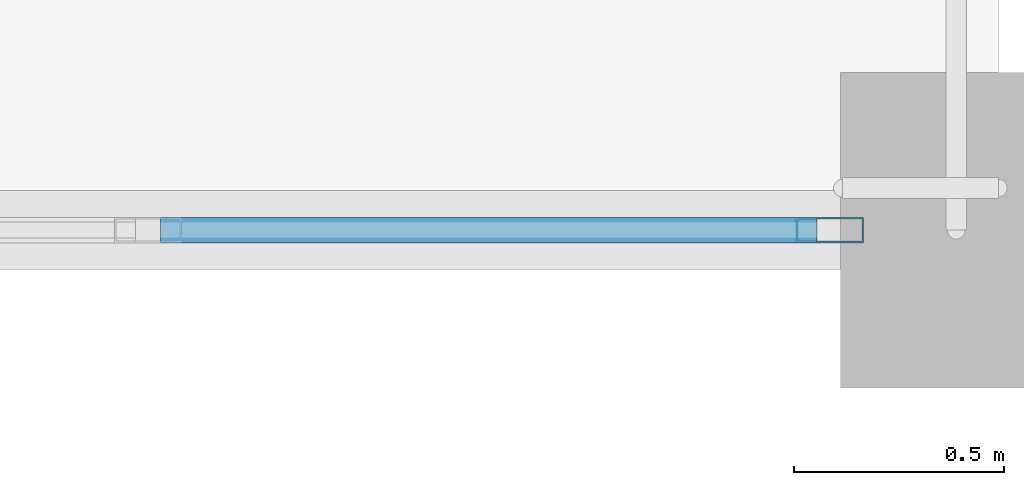
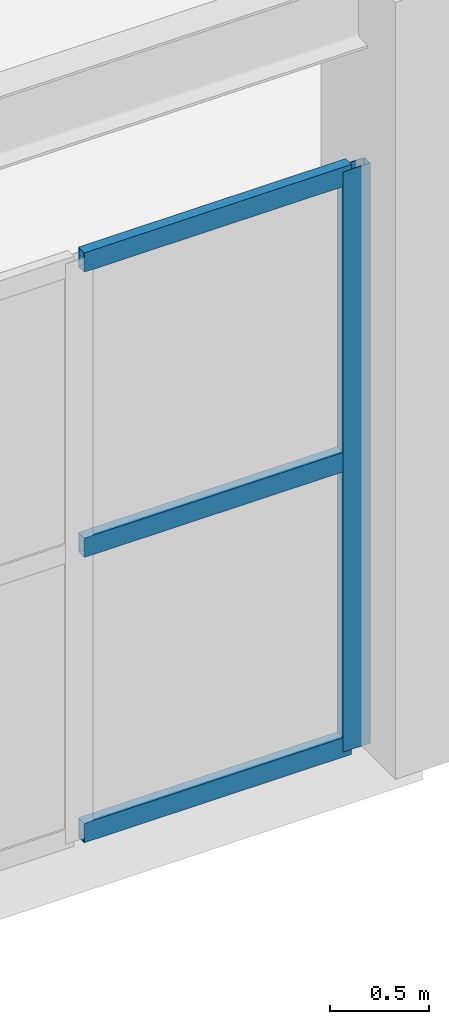
# One storey, part 7 of 89: 4 members, 1 element without a shape of its own.
"""IFC4 building model written with IfcOpenShell, lengths in metres."""

from ifc_helpers import new_model, si_unit, direction, frame, origin, origin_2d, place, context, subcontext, project, spatial, hollow_rectangle, extrude, material, layer, layer_set, material_profile, profile_set, type_object, element, aggregate, save


model = new_model("IFC4")

# Units and contexts
model_context = context("Model", 3, precision=1e-05, world=origin(), true_north=direction((0.0, 1.0)))
body_context = subcontext(model_context, "Body", "Model", "MODEL_VIEW")
ifc_project = project(units=[si_unit("LENGTHUNIT", "METRE"), si_unit("AREAUNIT", "SQUARE_METRE"), si_unit("VOLUMEUNIT", "CUBIC_METRE"), si_unit("PLANEANGLEUNIT", "RADIAN"), si_unit("MASSUNIT", "GRAM", prefix="KILO")], contexts=[model_context])

# Site, building, storey
site_placement = place(None, origin())
site = spatial("IfcSite", under=ifc_project, at=site_placement, CompositionType="ELEMENT")
building_placement = place(site_placement, origin())
building = spatial("IfcBuilding", under=site, at=building_placement, Name="Dornveld Trade and Exhibition Forum", CompositionType="ELEMENT")
storey_placement = place(building_placement, frame((0.0, 0.0, 12.0)))
storey = spatial("IfcBuildingStorey", under=building, at=storey_placement, Name="L02", CompositionType="ELEMENT", Elevation=12.0)

# Curtain wall, members
ifc_material_1 = material(Name="Dark-bronze anodised aluminium and low-E glass", Category="aluminium")
ifc_layer = layer(ifc_material_1, 0.156982421875)
ifc_layer_set = layer_set([ifc_layer], Name="Dark-bronze anodised aluminium and low-E glass")
curtain_wall_type = type_object("IfcCurtainWallType", Name="CW-SYS-05", PredefinedType="USERDEFINED", material=ifc_layer_set)
curtain_wall_placement = place(storey_placement, origin())
curtain_wall = element("IfcCurtainWall", 1, at=curtain_wall_placement, inside=storey, type_object=curtain_wall_type, Name="L02 unitised curtain wall 23", ObjectType="UNITISED_CURTAIN_WALL", PredefinedType="USERDEFINED")
ifc_material_2 = material(Name="Dark-bronze anodised aluminium", Category="aluminium")
ifc_material_profile_1 = material_profile(ifc_material_2, hollow_rectangle(XDim=0.06005859375, YDim=0.159912109375, WallThickness=0.00390625, at=origin_2d()), Name="RHS 160x60x4")
ifc_profile_set_1 = profile_set([ifc_material_profile_1], Name="Dark-bronze anodised aluminium")
member_type_1 = type_object("IfcMemberType", Name="CW-MUL-160", PredefinedType="MULLION", material=ifc_profile_set_1)
member_1_placement = place(storey_placement, frame((53.59912109375, 36.0, -0.00390625), z_axis=(0.0, 0.0, 1.0), x_axis=(0.0, 1.0, 0.0)))
member_1 = element("IfcMember", 2, at=member_1_placement, type_object=member_type_1, Name="CW-05 mullion 6", PredefinedType="MULLION", context=body_context, shape_type="SweptSolid", body=[
    extrude(hollow_rectangle(XDim=0.06005859375, YDim=0.159912109375, WallThickness=0.00390625, at=origin_2d()), origin(), (0.0, 0.0, 1.0), 3.583984375),
])
ifc_material_3 = material(Name="Dark-bronze anodised aluminium", Category="aluminium")
ifc_material_profile_2 = material_profile(ifc_material_3, hollow_rectangle(XDim=0.06005859375, YDim=0.1201171875, WallThickness=0.00390625, at=origin_2d()), Name="RHS 120x60x4")
ifc_profile_set_2 = profile_set([ifc_material_profile_2], Name="Dark-bronze anodised aluminium")
member_type_2 = type_object("IfcMemberType", Name="CW-TRN-120", PredefinedType="USERDEFINED", material=ifc_profile_set_2)
member_2_placement = place(storey_placement, frame((52.00732421875, 36.0, 0.02587890625), z_axis=(1.0, 0.0, 0.0), x_axis=(0.0, 1.0, 0.0)))
member_2 = element("IfcMember", 3, at=member_2_placement, type_object=member_type_2, Name="CW-05 transom 5.1", ObjectType="TRANSOM", PredefinedType="USERDEFINED", context=body_context, shape_type="SweptSolid", body=[
    extrude(hollow_rectangle(XDim=0.06005859375, YDim=0.1201171875, WallThickness=0.00390625, at=origin_2d()), origin(), (0.0, 0.0, 1.0), 1.561767578125),
])
member_3_placement = place(storey_placement, frame((52.00732421875, 36.0, 1.7880859375), z_axis=(1.0, 0.0, 0.0), x_axis=(0.0, 1.0, 0.0)))
member_3 = element("IfcMember", 4, at=member_3_placement, type_object=member_type_2, Name="CW-05 transom 5.2", ObjectType="TRANSOM", PredefinedType="USERDEFINED", context=body_context, shape_type="SweptSolid", body=[
    extrude(hollow_rectangle(XDim=0.06005859375, YDim=0.1201171875, WallThickness=0.00390625, at=origin_2d()), origin(), (0.0, 0.0, 1.0), 1.561767578125),
])
member_4_placement = place(storey_placement, frame((52.00732421875, 36.0, 3.550048828125), z_axis=(1.0, 0.0, 0.0), x_axis=(0.0, 1.0, 0.0)))
member_4 = element("IfcMember", 5, at=member_4_placement, type_object=member_type_2, Name="CW-05 transom 5.3", ObjectType="TRANSOM", PredefinedType="USERDEFINED", context=body_context, shape_type="SweptSolid", body=[
    extrude(hollow_rectangle(XDim=0.06005859375, YDim=0.1201171875, WallThickness=0.00390625, at=origin_2d()), origin(), (0.0, 0.0, 1.0), 1.561767578125),
])
aggregate(curtain_wall, [member_1, member_2, member_3, member_4])

save(model, "model.ifc")
